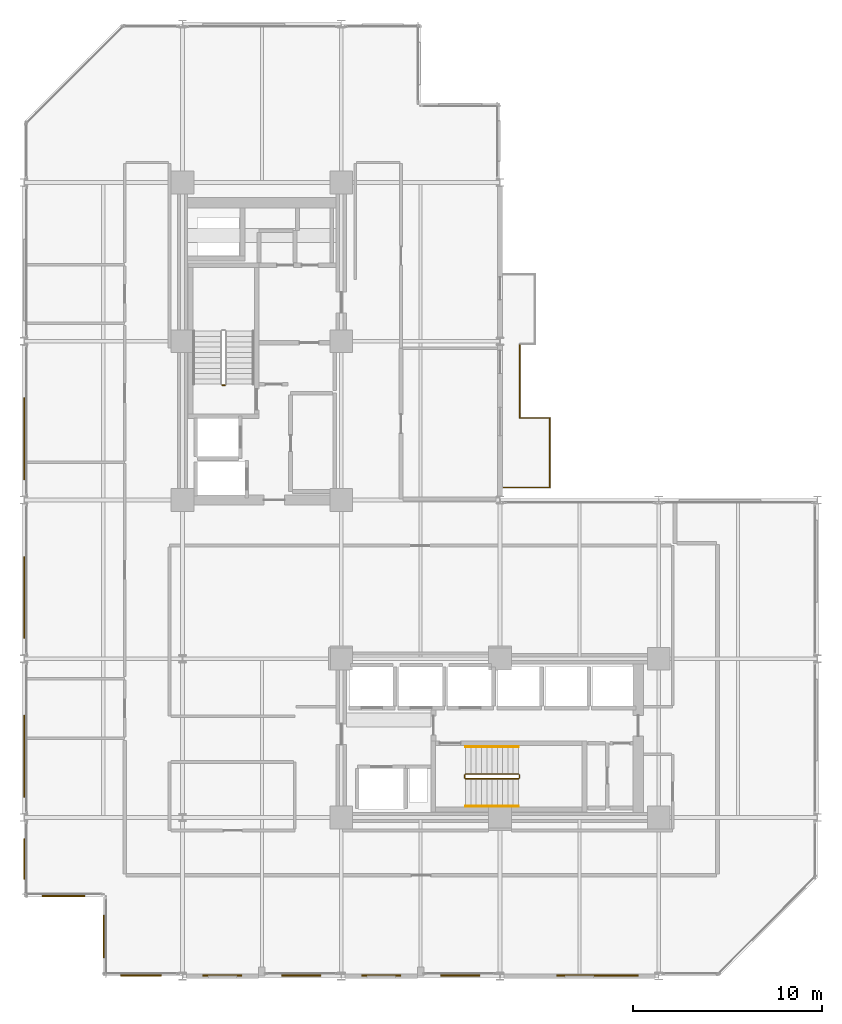
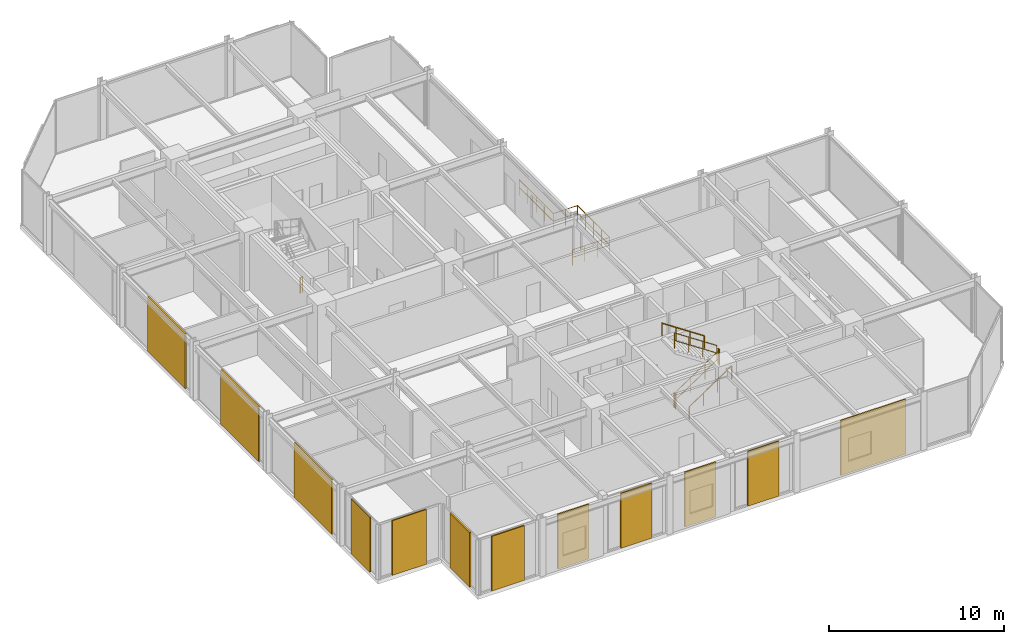
# One storey, part 27 of 29: 12 coverings, 11 railings.
"""IFC4 building model written with IfcOpenShell, lengths in metres."""

from ifc_helpers import new_model, si_unit, direction, frame, origin, origin_2d, place, context, subcontext, project, spatial, rectangle, circle, extrude, material, layer, layer_set, type_object, element, save


model = new_model("IFC4")

# Units and contexts
model_context = context("Model", 3, precision=1e-05, world=origin(), true_north=direction((0.0, 1.0)))
body_context = subcontext(model_context, "Body", "Model", "MODEL_VIEW")
ifc_project = project(units=[si_unit("LENGTHUNIT", "METRE"), si_unit("AREAUNIT", "SQUARE_METRE"), si_unit("VOLUMEUNIT", "CUBIC_METRE"), si_unit("PLANEANGLEUNIT", "RADIAN"), si_unit("MASSUNIT", "GRAM", prefix="KILO")], contexts=[model_context])

# Site, building, storey
site_placement = place(None, origin())
site = spatial("IfcSite", under=ifc_project, at=site_placement, CompositionType="ELEMENT")
building_placement = place(site_placement, origin())
building = spatial("IfcBuilding", under=site, at=building_placement, Name="Nerrivon Quay Data Exchange", CompositionType="ELEMENT")
storey_placement = place(building_placement, frame((0.0, 0.0, 137.699951171875)))
storey = spatial("IfcBuildingStorey", under=building, at=storey_placement, Name="L32", CompositionType="ELEMENT", Elevation=137.699951171875)

# Coverings
ifc_material_1 = material(Name="Architectural terracotta ceramic", Category="masonry")
ifc_layer = layer(ifc_material_1, 0.090087890625)
ifc_layer_set = layer_set([ifc_layer], Name="Architectural terracotta ceramic")
covering_type = type_object("IfcCoveringType", Name="COV-SCR-TERR", PredefinedType="CLADDING", material=ifc_layer_set)
covering_1_placement = place(storey_placement, frame((30.360107421875, 0.044921875, 0.0), z_axis=(0.0, 0.0, 1.0), x_axis=(-1.0, 0.0, 0.0)))
element("IfcCovering", 1, at=covering_1_placement, inside=storey, type_object=covering_type, Name="L32 Perforated Terracotta SOLAR SCREEN Cassette", PredefinedType="CLADDING", context=body_context, shape_type="SweptSolid", body=[
    extrude(rectangle(XDim=4.320068359375, YDim=0.090087890625, at=origin_2d()), origin(), (0.0, 0.0, 1.0), 3.824951171875),
])
for number, where, z_axis, x_axis, name in (
    (2, (23.08740234375, 0.044921875, 0.0), (0.0, 0.0, 1.0), (-1.0, 0.0, 0.0), "L32 Perforated Terracotta SOLAR SCREEN Cassette"),
    (3, (18.91259765625, 0.044921875, 0.0), (0.0, 0.0, 1.0), (-1.0, 0.0, 0.0), "L32 Perforated Terracotta SOLAR SCREEN Cassette"),
):
    element("IfcCovering", number, at=place(storey_placement, frame(where, z_axis=z_axis, x_axis=x_axis)), inside=storey, type_object=covering_type, Name=name, PredefinedType="CLADDING", context=body_context, shape_type="SweptSolid", body=[
        extrude(rectangle(XDim=2.06494140625, YDim=0.090087890625, at=origin_2d()), origin(), (0.0, 0.0, 1.0), 3.824951171875),
    ])
for number, where, z_axis, x_axis, name in (
    (4, (14.6875, 0.044921875, 0.0), (0.0, 0.0, 1.0), (-1.0, 0.0, 0.0), "L32 Perforated Terracotta SOLAR SCREEN Cassette"),
    (5, (10.512451171875, 0.044921875, 0.0), (0.0, 0.0, 1.0), (-1.0, 0.0, 0.0), "L32 Perforated Terracotta SOLAR SCREEN Cassette"),
):
    element("IfcCovering", number, at=place(storey_placement, frame(where, z_axis=z_axis, x_axis=x_axis)), inside=storey, type_object=covering_type, Name=name, PredefinedType="CLADDING", context=body_context, shape_type="SweptSolid", body=[
        extrude(rectangle(XDim=2.06591796875, YDim=0.090087890625, at=origin_2d()), origin(), (0.0, 0.0, 1.0), 3.824951171875),
    ])
covering_2_placement = place(storey_placement, frame((6.199951171875, 0.044921875, 0.0), z_axis=(0.0, 0.0, 1.0), x_axis=(-1.0, 0.0, 0.0)))
element("IfcCovering", 6, at=covering_2_placement, inside=storey, type_object=covering_type, Name="L32 Perforated Terracotta SOLAR SCREEN Cassette", PredefinedType="CLADDING", context=body_context, shape_type="SweptSolid", body=[
    extrude(rectangle(XDim=2.159912109375, YDim=0.090087890625, at=origin_2d()), origin(), (0.0, 0.0, 1.0), 3.824951171875),
])
for number, where, z_axis, x_axis, name in (
    (7, (4.2451171875, 2.10009765625, 0.0), (0.0, 0.0, 1.0), (0.0, 1.0, 0.0), "L32 Perforated Terracotta SOLAR SCREEN Cassette"),
    (8, (2.10009765625, 4.2451171875, 0.0), (0.0, 0.0, 1.0), (-1.0, 0.0, 0.0), "L32 Perforated Terracotta SOLAR SCREEN Cassette"),
):
    element("IfcCovering", number, at=place(storey_placement, frame(where, z_axis=z_axis, x_axis=x_axis)), inside=storey, type_object=covering_type, Name=name, PredefinedType="CLADDING", context=body_context, shape_type="SweptSolid", body=[
        extrude(rectangle(XDim=2.26806640625, YDim=0.090087890625, at=origin_2d()), origin(), (0.0, 0.0, 1.0), 3.824951171875),
    ])
covering_3_placement = place(storey_placement, frame((0.044921875, 6.199951171875, 0.0), z_axis=(0.0, 0.0, 1.0), x_axis=(0.0, 1.0, 0.0)))
element("IfcCovering", 9, at=covering_3_placement, inside=storey, type_object=covering_type, Name="L32 Perforated Terracotta SOLAR SCREEN Cassette", PredefinedType="CLADDING", context=body_context, shape_type="SweptSolid", body=[
    extrude(rectangle(XDim=2.159912109375, YDim=0.090087890625, at=origin_2d()), origin(), (0.0, 0.0, 1.0), 3.824951171875),
])
for number, where, z_axis, x_axis, name in (
    (10, (0.044921875, 11.639892578125, 0.0), (0.0, 0.0, 1.0), (0.0, 1.0, 0.0), "L32 Perforated Terracotta SOLAR SCREEN Cassette"),
    (11, (0.044921875, 20.0400390625, 0.0), (0.0, 0.0, 1.0), (0.0, 1.0, 0.0), "L32 Perforated Terracotta SOLAR SCREEN Cassette"),
    (12, (0.044921875, 28.43994140625, 0.0), (0.0, 0.0, 1.0), (0.0, 1.0, 0.0), "L32 Perforated Terracotta SOLAR SCREEN Cassette"),
):
    element("IfcCovering", number, at=place(storey_placement, frame(where, z_axis=z_axis, x_axis=x_axis)), inside=storey, type_object=covering_type, Name=name, PredefinedType="CLADDING", context=body_context, shape_type="SweptSolid", body=[
        extrude(rectangle(XDim=4.320068359375, YDim=0.090087890625, at=origin_2d()), origin(), (0.0, 0.0, 1.0), 3.824951171875),
    ])

# Railings
ifc_material_2 = material(Name="Steel Grade C350L0 (350 MPa)", Category="steel")
railing_type_1 = type_object("IfcRailingType", Name="RAIL-GUARD-GR2", PredefinedType="BALUSTRADE", material=ifc_material_2)
railing_1_placement = place(storey_placement, frame((26.239990234375, 29.5400390625, 0.0)))
element("IfcRailing", 13, at=railing_1_placement, inside=storey, type_object=railing_type_1, Name="L32 Verandah Balcony Guard 1.1 1", PredefinedType="BALUSTRADE", context=body_context, shape_type="SweptSolid", body=[
    extrude(circle(Radius=0.02392578125, at=origin_2d()), frame((0.0, 0.0, 1.09619140625), z_axis=(1.0, 0.0, 0.0), x_axis=(0.0, 1.0, 0.0)), (0.0, 0.0, 1.0), 1.60009765625),
    extrude(circle(Radius=0.02392578125, at=origin_2d()), frame((0.0, 0.0, 0.56005859375), z_axis=(1.0, 0.0, 0.0), x_axis=(0.0, 1.0, 0.0)), (0.0, 0.0, 1.0), 1.60009765625),
    extrude(circle(Radius=0.02099609375, at=origin_2d()), origin(), (0.0, 0.0, 1.0), 1.072021484375),
    extrude(circle(Radius=0.02099609375, at=origin_2d()), frame((0.800048828125, 0.0, 0.0)), (0.0, 0.0, 1.0), 1.072021484375),
    extrude(circle(Radius=0.02099609375, at=origin_2d()), frame((1.60009765625, 0.0, 0.0)), (0.0, 0.0, 1.0), 1.072021484375),
])
railing_2_placement = place(storey_placement, frame((27.840087890625, 29.5400390625, 0.0)))
element("IfcRailing", 14, at=railing_2_placement, inside=storey, type_object=railing_type_1, Name="L32 Verandah Balcony Guard 1.2 1", PredefinedType="BALUSTRADE", context=body_context, shape_type="SweptSolid", body=[
    extrude(circle(Radius=0.02392578125, at=origin_2d()), frame((0.0, 0.0, 1.09619140625), z_axis=(0.0, -1.0, 0.0), x_axis=(1.0, 0.0, 0.0)), (0.0, 0.0, 1.0), 3.679931640625),
    extrude(circle(Radius=0.02392578125, at=origin_2d()), frame((0.0, 0.0, 0.56005859375), z_axis=(0.0, -1.0, 0.0), x_axis=(1.0, 0.0, 0.0)), (0.0, 0.0, 1.0), 3.679931640625),
    extrude(circle(Radius=0.02099609375, at=origin_2d()), origin(), (0.0, 0.0, 1.0), 1.072021484375),
    extrude(circle(Radius=0.02099609375, at=origin_2d()), frame((0.0, -0.919921875, 0.0)), (0.0, 0.0, 1.0), 1.072021484375),
    extrude(circle(Radius=0.02099609375, at=origin_2d()), frame((0.0, -1.83984375, 0.0)), (0.0, 0.0, 1.0), 1.072021484375),
    extrude(circle(Radius=0.02099609375, at=origin_2d()), frame((0.0, -2.760009765625, 0.0)), (0.0, 0.0, 1.0), 1.072021484375),
    extrude(circle(Radius=0.02099609375, at=origin_2d()), frame((0.0, -3.679931640625, 0.0)), (0.0, 0.0, 1.0), 1.072021484375),
])
railing_3_placement = place(storey_placement, frame((27.840087890625, 25.860107421875, 0.0)))
element("IfcRailing", 15, at=railing_3_placement, inside=storey, type_object=railing_type_1, Name="L32 Verandah Balcony Guard 1.3 1", PredefinedType="BALUSTRADE", context=body_context, shape_type="SweptSolid", body=[
    extrude(circle(Radius=0.02392578125, at=origin_2d()), frame((0.0, 0.0, 1.09619140625), z_axis=(-1.0, 0.0, 0.0), x_axis=(0.0, -1.0, 0.0)), (0.0, 0.0, 1.0), 2.460205078125),
    extrude(circle(Radius=0.02392578125, at=origin_2d()), frame((0.0, 0.0, 0.56005859375), z_axis=(-1.0, 0.0, 0.0), x_axis=(0.0, -1.0, 0.0)), (0.0, 0.0, 1.0), 2.460205078125),
    extrude(circle(Radius=0.02099609375, at=origin_2d()), origin(), (0.0, 0.0, 1.0), 1.072021484375),
    extrude(circle(Radius=0.02099609375, at=origin_2d()), frame((-0.820068359375, 0.0, 0.0)), (0.0, 0.0, 1.0), 1.072021484375),
    extrude(circle(Radius=0.02099609375, at=origin_2d()), frame((-1.64013671875, 0.0, 0.0)), (0.0, 0.0, 1.0), 1.072021484375),
    extrude(circle(Radius=0.02099609375, at=origin_2d()), frame((-2.460205078125, 0.0, 0.0)), (0.0, 0.0, 1.0), 1.072021484375),
])
railing_4_placement = place(storey_placement, frame((26.239990234375, 33.4599609375, 0.0)))
element("IfcRailing", 16, at=railing_4_placement, inside=storey, type_object=railing_type_1, Name="L32 Verandah Balcony Guard 1.7 1", PredefinedType="BALUSTRADE", context=body_context, shape_type="SweptSolid", body=[
    extrude(circle(Radius=0.02392578125, at=origin_2d()), frame((0.0, 0.0, 1.09619140625), z_axis=(0.0, -1.0, 0.0), x_axis=(1.0, 0.0, 0.0)), (0.0, 0.0, 1.0), 3.919921875),
    extrude(circle(Radius=0.02392578125, at=origin_2d()), frame((0.0, 0.0, 0.56005859375), z_axis=(0.0, -1.0, 0.0), x_axis=(1.0, 0.0, 0.0)), (0.0, 0.0, 1.0), 3.919921875),
    extrude(circle(Radius=0.02099609375, at=origin_2d()), origin(), (0.0, 0.0, 1.0), 1.072021484375),
    extrude(circle(Radius=0.02099609375, at=origin_2d()), frame((0.0, -0.97998046875, 0.0)), (0.0, 0.0, 1.0), 1.072021484375),
    extrude(circle(Radius=0.02099609375, at=origin_2d()), frame((0.0, -1.9599609375, 0.0)), (0.0, 0.0, 1.0), 1.072021484375),
    extrude(circle(Radius=0.02099609375, at=origin_2d()), frame((0.0, -2.93994140625, 0.0)), (0.0, 0.0, 1.0), 1.072021484375),
    extrude(circle(Radius=0.02099609375, at=origin_2d()), frame((0.0, -3.919921875, 0.0)), (0.0, 0.0, 1.0), 1.072021484375),
])
railing_type_2 = type_object("IfcRailingType", Name="RAIL-HAND-HR1", PredefinedType="HANDRAIL", material=ifc_material_2)
railing_5_placement = place(storey_placement, frame((23.3798828125, 9.0, 0.1865234375)))
element("IfcRailing", 17, at=railing_5_placement, inside=storey, type_object=railing_type_2, Name="L32 ST02 stair handrail 1", PredefinedType="HANDRAIL", context=body_context, shape_type="SweptSolid", body=[
    extrude(circle(Radius=0.02392578125, at=origin_2d()), frame((0.0, 0.0, 0.8759765625), z_axis=(0.832485552168, 0.0, 0.554046753832), x_axis=(0.0, 1.0, 0.0)), (0.0, 0.0, 1.0), 3.363525390625),
    extrude(circle(Radius=0.02099609375, at=origin_2d()), origin(), (0.0, 0.0, 1.0), 0.851806640625),
    extrude(circle(Radius=0.02099609375, at=origin_2d()), frame((0.933349609375, 0.0, 0.62109375)), (0.0, 0.0, 1.0), 0.851806640625),
    extrude(circle(Radius=0.02099609375, at=origin_2d()), frame((1.86669921875, 0.0, 1.242431640625)), (0.0, 0.0, 1.0), 0.851806640625),
    extrude(circle(Radius=0.02099609375, at=origin_2d()), frame((2.800048828125, 0.0, 1.863525390625)), (0.0, 0.0, 1.0), 0.851806640625),
])
railing_6_placement = place(storey_placement, frame((26.179931640625, 12.14990234375, 2.236328125)))
element("IfcRailing", 18, at=railing_6_placement, inside=storey, type_object=railing_type_2, Name="L32 ST02 stair handrail 2", PredefinedType="HANDRAIL", context=body_context, shape_type="SweptSolid", body=[
    extrude(circle(Radius=0.02392578125, at=origin_2d()), frame((0.0, 0.0, 0.8759765625), z_axis=(-0.832452072856, 0.0, 0.554097055034), x_axis=(0.0, -1.0, 0.0)), (0.0, 0.0, 1.0), 3.363525390625),
    extrude(circle(Radius=0.02099609375, at=origin_2d()), origin(), (0.0, 0.0, 1.0), 0.851806640625),
    extrude(circle(Radius=0.02099609375, at=origin_2d()), frame((-0.933349609375, 0.0, 0.621337890625)), (0.0, 0.0, 1.0), 0.851806640625),
    extrude(circle(Radius=0.02099609375, at=origin_2d()), frame((-1.86669921875, 0.0, 1.242431640625)), (0.0, 0.0, 1.0), 0.851806640625),
    extrude(circle(Radius=0.02099609375, at=origin_2d()), frame((-2.800048828125, 0.0, 1.86376953125)), (0.0, 0.0, 1.0), 0.851806640625),
])
railing_type_3 = type_object("IfcRailingType", Name="RAIL-STAIR-GR1", PredefinedType="BALUSTRADE", material=ifc_material_2)
railing_7_placement = place(storey_placement, frame((10.64990234375, 31.280029296875, 0.0)))
element("IfcRailing", 19, at=railing_7_placement, inside=storey, type_object=railing_type_3, Name="L32 ST01 stair guard 4", PredefinedType="BALUSTRADE", context=body_context, shape_type="SweptSolid", body=[
    extrude(circle(Radius=0.02392578125, at=origin_2d()), frame((0.0, 0.0, 1.076171875), z_axis=(-1.0, 0.0, 0.0), x_axis=(0.0, -1.0, 0.0)), (0.0, 0.0, 1.0), 0.14990234375),
    extrude(circle(Radius=0.02392578125, at=origin_2d()), frame((0.0, 0.0, 0.550048828125), z_axis=(-1.0, 0.0, 0.0), x_axis=(0.0, -1.0, 0.0)), (0.0, 0.0, 1.0), 0.14990234375),
    extrude(circle(Radius=0.02099609375, at=origin_2d()), origin(), (0.0, 0.0, 1.0), 1.052001953125),
    extrude(circle(Radius=0.02099609375, at=origin_2d()), frame((-0.14990234375, 0.0, 0.0)), (0.0, 0.0, 1.0), 1.052001953125),
])
railing_8_placement = place(storey_placement, frame((23.3798828125, 10.449951171875, 0.1865234375)))
element("IfcRailing", 20, at=railing_8_placement, inside=storey, type_object=railing_type_3, Name="L32 ST02 stair guard 1", PredefinedType="BALUSTRADE", context=body_context, shape_type="SweptSolid", body=[
    extrude(circle(Radius=0.02392578125, at=origin_2d()), frame((0.0, 0.0, 1.076171875), z_axis=(0.832485552168, 0.0, 0.554046753832), x_axis=(0.0, 1.0, 0.0)), (0.0, 0.0, 1.0), 3.363525390625),
    extrude(circle(Radius=0.02392578125, at=origin_2d()), frame((0.0, 0.0, 0.550048828125), z_axis=(0.832485552168, 0.0, 0.554046753832), x_axis=(0.0, 1.0, 0.0)), (0.0, 0.0, 1.0), 3.363525390625),
    extrude(circle(Radius=0.02099609375, at=origin_2d()), origin(), (0.0, 0.0, 1.0), 1.052001953125),
    extrude(circle(Radius=0.02099609375, at=origin_2d()), frame((0.933349609375, 0.0, 0.62109375)), (0.0, 0.0, 1.0), 1.052001953125),
    extrude(circle(Radius=0.02099609375, at=origin_2d()), frame((1.86669921875, 0.0, 1.242431640625)), (0.0, 0.0, 1.0), 1.052001953125),
    extrude(circle(Radius=0.02099609375, at=origin_2d()), frame((2.800048828125, 0.0, 1.863525390625)), (0.0, 0.0, 1.0), 1.052001953125),
])
railing_9_placement = place(storey_placement, frame((26.22998046875, 10.5, 2.050048828125)))
element("IfcRailing", 21, at=railing_9_placement, inside=storey, type_object=railing_type_3, Name="L32 ST02 stair guard 2", PredefinedType="BALUSTRADE", context=body_context, shape_type="SweptSolid", body=[
    extrude(circle(Radius=0.02392578125, at=origin_2d()), frame((0.0, 0.0, 1.076171875), z_axis=(0.0, 1.0, 0.0), x_axis=(-1.0, 0.0, 0.0)), (0.0, 0.0, 1.0), 0.14990234375),
    extrude(circle(Radius=0.02392578125, at=origin_2d()), frame((0.0, 0.0, 0.550048828125), z_axis=(0.0, 1.0, 0.0), x_axis=(-1.0, 0.0, 0.0)), (0.0, 0.0, 1.0), 0.14990234375),
    extrude(circle(Radius=0.02099609375, at=origin_2d()), origin(), (0.0, 0.0, 1.0), 1.052001953125),
    extrude(circle(Radius=0.02099609375, at=origin_2d()), frame((0.0, 0.14990234375, 0.0)), (0.0, 0.0, 1.0), 1.052001953125),
])
railing_10_placement = place(storey_placement, frame((26.179931640625, 10.699951171875, 2.236328125)))
element("IfcRailing", 22, at=railing_10_placement, inside=storey, type_object=railing_type_3, Name="L32 ST02 stair guard 3", PredefinedType="BALUSTRADE", context=body_context, shape_type="SweptSolid", body=[
    extrude(circle(Radius=0.02392578125, at=origin_2d()), frame((0.0, 0.0, 1.076171875), z_axis=(-0.832452072856, 0.0, 0.554097055034), x_axis=(0.0, -1.0, 0.0)), (0.0, 0.0, 1.0), 3.363525390625),
    extrude(circle(Radius=0.02392578125, at=origin_2d()), frame((0.0, 0.0, 0.550048828125), z_axis=(-0.832452072856, 0.0, 0.554097055034), x_axis=(0.0, -1.0, 0.0)), (0.0, 0.0, 1.0), 3.363525390625),
    extrude(circle(Radius=0.02099609375, at=origin_2d()), origin(), (0.0, 0.0, 1.0), 1.052001953125),
    extrude(circle(Radius=0.02099609375, at=origin_2d()), frame((-0.933349609375, 0.0, 0.621337890625)), (0.0, 0.0, 1.0), 1.052001953125),
    extrude(circle(Radius=0.02099609375, at=origin_2d()), frame((-1.86669921875, 0.0, 1.242431640625)), (0.0, 0.0, 1.0), 1.052001953125),
    extrude(circle(Radius=0.02099609375, at=origin_2d()), frame((-2.800048828125, 0.0, 1.86376953125)), (0.0, 0.0, 1.0), 1.052001953125),
])
railing_11_placement = place(storey_placement, frame((23.330078125, 10.5, 0.0)))
element("IfcRailing", 23, at=railing_11_placement, inside=storey, type_object=railing_type_3, Name="L32 ST02 stair guard 4", PredefinedType="BALUSTRADE", context=body_context, shape_type="SweptSolid", body=[
    extrude(circle(Radius=0.02392578125, at=origin_2d()), frame((0.0, 0.0, 1.076171875), z_axis=(0.0, 1.0, 0.0), x_axis=(-1.0, 0.0, 0.0)), (0.0, 0.0, 1.0), 0.14990234375),
    extrude(circle(Radius=0.02392578125, at=origin_2d()), frame((0.0, 0.0, 0.550048828125), z_axis=(0.0, 1.0, 0.0), x_axis=(-1.0, 0.0, 0.0)), (0.0, 0.0, 1.0), 0.14990234375),
    extrude(circle(Radius=0.02099609375, at=origin_2d()), origin(), (0.0, 0.0, 1.0), 1.052001953125),
    extrude(circle(Radius=0.02099609375, at=origin_2d()), frame((0.0, 0.14990234375, 0.0)), (0.0, 0.0, 1.0), 1.052001953125),
])

save(model, "model.ifc")
